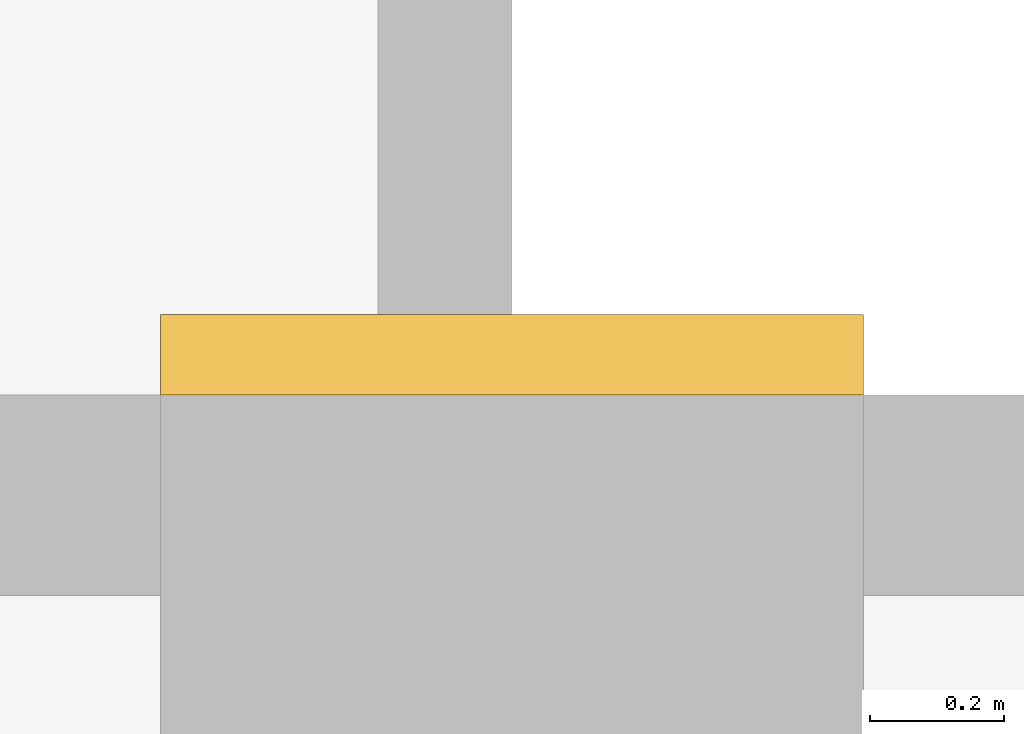
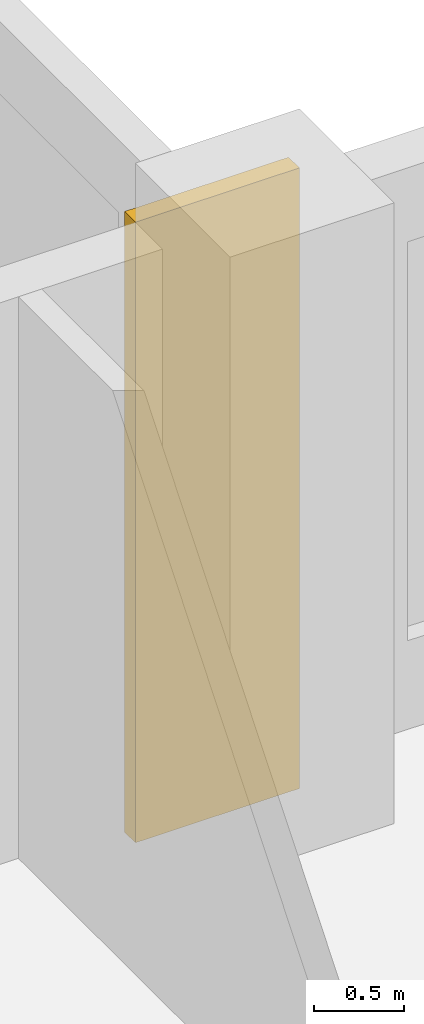
# One storey, part 14 of 14: 1 covering.
"""IFC4 building model written with IfcOpenShell, lengths in metres."""

from ifc_helpers import new_model, si_unit, direction, frame, origin, origin_2d, place, context, subcontext, project, spatial, rectangle, extrude, source, transform, mapped, material, type_object, element, save


model = new_model("IFC4")

# Units and contexts
model_context = context("Model", 3, precision=1e-05, world=origin(), true_north=direction((0.0, 1.0)))
body_context = subcontext(model_context, "Body", "Model", "MODEL_VIEW")
ifc_project = project(units=[si_unit("LENGTHUNIT", "METRE"), si_unit("AREAUNIT", "SQUARE_METRE"), si_unit("VOLUMEUNIT", "CUBIC_METRE"), si_unit("PLANEANGLEUNIT", "RADIAN"), si_unit("MASSUNIT", "GRAM", prefix="KILO")], contexts=[model_context])

# Site, building, storey
site_placement = place(None, origin())
site = spatial("IfcSite", under=ifc_project, at=site_placement, CompositionType="ELEMENT")
building_placement = place(site_placement, origin())
building = spatial("IfcBuilding", under=site, at=building_placement, Name="Aurelian Terraces", CompositionType="ELEMENT")
storey_placement = place(building_placement, frame((0.0, 0.0, 141.3)))
storey = spatial("IfcBuildingStorey", under=building, at=storey_placement, Name="L31", CompositionType="ELEMENT", Elevation=141.3)

# Covering
ifc_material = material(Name="Terracotta rainscreen cladding relief", Category="masonry")
covering_type = type_object("IfcCoveringType", Name="BAGUETTE-TC", PredefinedType="CLADDING", material=ifc_material)
shared_shape = source(origin(), body_context, "Body", "SweptSolid", [
    extrude(rectangle(XDim=1.05, YDim=0.12, at=origin_2d()), origin(), (0.0, 0.0, 1.0), 4.2),
])
covering_placement = place(storey_placement, frame((63.84, 21.06, -0.4), z_axis=(0.0, 0.0, 1.0), x_axis=(1.0, 0.0, 0.0)))
element("IfcCovering", 1, at=covering_placement, inside=storey, type_object=covering_type, Name="BAGUETTE pier L31 9", PredefinedType="CLADDING", context=body_context, shape_type="MappedRepresentation", body=[
    mapped(shared_shape, transform((0.0, 0.0, 0.0), scale=1.0)),
])

save(model, "model.ifc")
